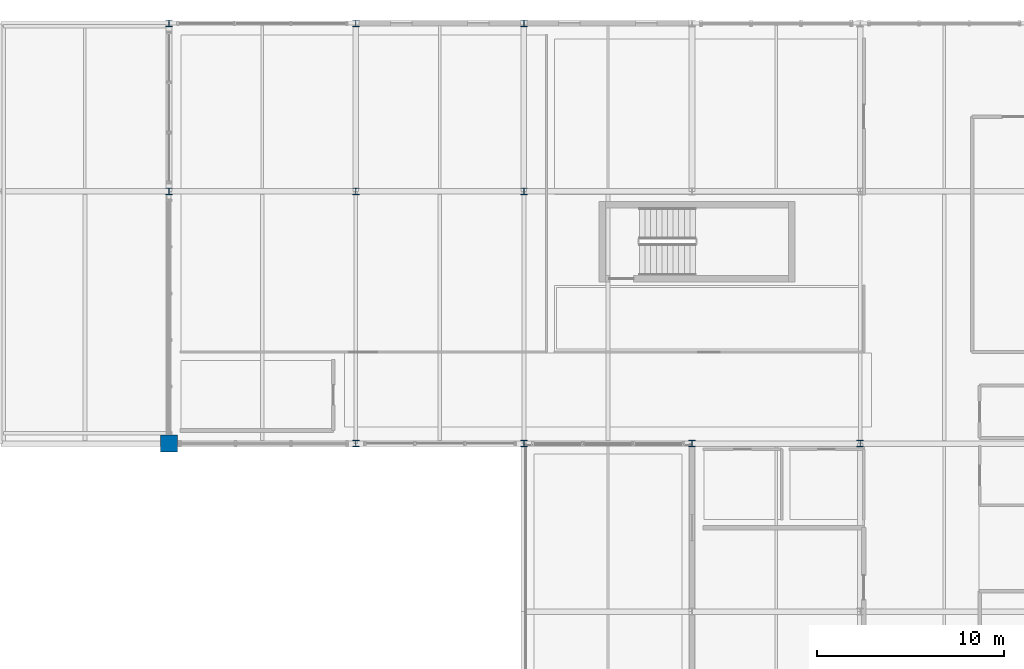
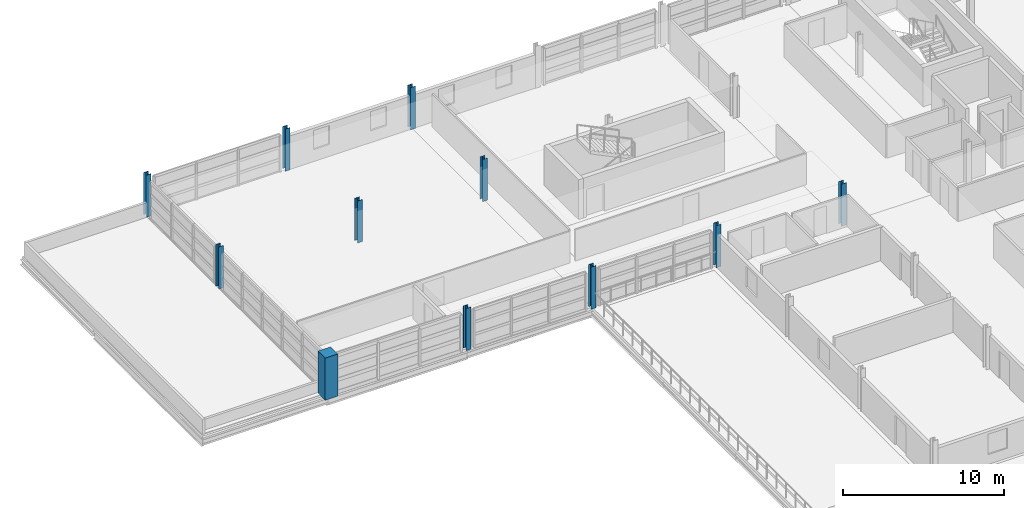
# One storey, part 2 of 30: 11 columns.
"""IFC4 building model written with IfcOpenShell, lengths in metres."""

from ifc_helpers import new_model, si_unit, direction, frame, origin, origin_2d, place, context, subcontext, project, spatial, rectangle, i_section, extrude, material, material_profile, profile_set, type_object, element, save


model = new_model("IFC4")

# Units and contexts
model_context = context("Model", 3, precision=1e-05, world=origin(), true_north=direction((0.0, 1.0)))
body_context = subcontext(model_context, "Body", "Model", "MODEL_VIEW")
ifc_project = project(units=[si_unit("LENGTHUNIT", "METRE"), si_unit("AREAUNIT", "SQUARE_METRE"), si_unit("VOLUMEUNIT", "CUBIC_METRE"), si_unit("PLANEANGLEUNIT", "RADIAN"), si_unit("MASSUNIT", "GRAM", prefix="KILO")], contexts=[model_context])

# Site, building, storey
site_placement = place(None, origin())
site = spatial("IfcSite", under=ifc_project, at=site_placement, CompositionType="ELEMENT")
building_placement = place(site_placement, origin())
building = spatial("IfcBuilding", under=site, at=building_placement, Name="Chuanluo Vaults Station", CompositionType="ELEMENT")
storey_placement = place(building_placement, frame((0.0, 0.0, 17.60009765625)))
storey = spatial("IfcBuildingStorey", under=building, at=storey_placement, Name="L04", CompositionType="ELEMENT", Elevation=17.60009765625)

# Columns
ifc_material_1 = material(Name="Concrete C50", Category="concrete")
ifc_material_profile_1 = material_profile(ifc_material_1, rectangle(XDim=0.89990234375, YDim=0.89990234375, at=origin_2d()))
ifc_profile_set_1 = profile_set([ifc_material_profile_1], Name="Concrete C50")
column_type_1 = type_object("IfcColumnType", Name="COL-RC-900x900", PredefinedType="COLUMN", material=ifc_profile_set_1)
column_placement = place(storey_placement, frame((126.0, 103.5, 0.0), z_axis=(0.0, 0.0, 1.0), x_axis=(1.0, 0.0, 0.0)))
element("IfcColumn", 1, at=column_placement, inside=storey, type_object=column_type_1, Name="Column L04-081", PredefinedType="COLUMN", context=body_context, shape_type="SweptSolid", body=[
    extrude(rectangle(XDim=0.89990234375, YDim=0.89990234375, at=origin_2d()), origin(), (0.0, 0.0, 1.0), 3.199951171875),
])
ifc_material_2 = material(Name="Steel Q355C", Category="steel")
ifc_material_profile_2 = material_profile(ifc_material_2, i_section(OverallWidth=0.35009765625, OverallDepth=0.35009765625, WebThickness=0.011962890625, FlangeThickness=0.01904296875, FilletRadius=0.02001953125, at=origin_2d()))
ifc_profile_set_2 = profile_set([ifc_material_profile_2], Name="Steel Q355C")
column_type_2 = type_object("IfcColumnType", Name="COL-STL-HW350", PredefinedType="COLUMN", material=ifc_profile_set_2)
for number, where, z_axis, x_axis, name in (
    (2, (126.0, 117.0, 0.0), (0.0, 0.0, 1.0), (1.0, 0.0, 0.0), "Column L04-082"),
    (3, (126.0, 126.0, 0.0), (0.0, 0.0, 1.0), (1.0, 0.0, 0.0), "Column L04-083"),
    (4, (136.0, 103.5, 0.0), (0.0, 0.0, 1.0), (1.0, 0.0, 0.0), "Column L04-094"),
    (5, (136.0, 117.0, 0.0), (0.0, 0.0, 1.0), (1.0, 0.0, 0.0), "Column L04-095"),
    (6, (136.0, 126.0, 0.0), (0.0, 0.0, 1.0), (1.0, 0.0, 0.0), "Column L04-096"),
    (7, (145.0, 103.5, 0.0), (0.0, 0.0, 1.0), (1.0, 0.0, 0.0), "Column L04-107"),
    (8, (145.0, 117.0, 0.0), (0.0, 0.0, 1.0), (1.0, 0.0, 0.0), "Column L04-108"),
    (9, (145.0, 126.0, 0.0), (0.0, 0.0, 1.0), (1.0, 0.0, 0.0), "Column L04-109"),
    (10, (154.0, 103.5, 0.0), (0.0, 0.0, 1.0), (1.0, 0.0, 0.0), "Column L04-120"),
    (11, (163.0, 103.5, 0.0), (0.0, 0.0, 1.0), (1.0, 0.0, 0.0), "Column L04-133"),
):
    element("IfcColumn", number, at=place(storey_placement, frame(where, z_axis=z_axis, x_axis=x_axis)), inside=storey, type_object=column_type_2, Name=name, PredefinedType="COLUMN", context=body_context, shape_type="SweptSolid", body=[
        extrude(i_section(OverallWidth=0.35009765625, OverallDepth=0.35009765625, WebThickness=0.011962890625, FlangeThickness=0.01904296875, FilletRadius=0.02001953125, at=origin_2d()), origin(), (0.0, 0.0, 1.0), 3.199951171875),
    ])

save(model, "model.ifc")
